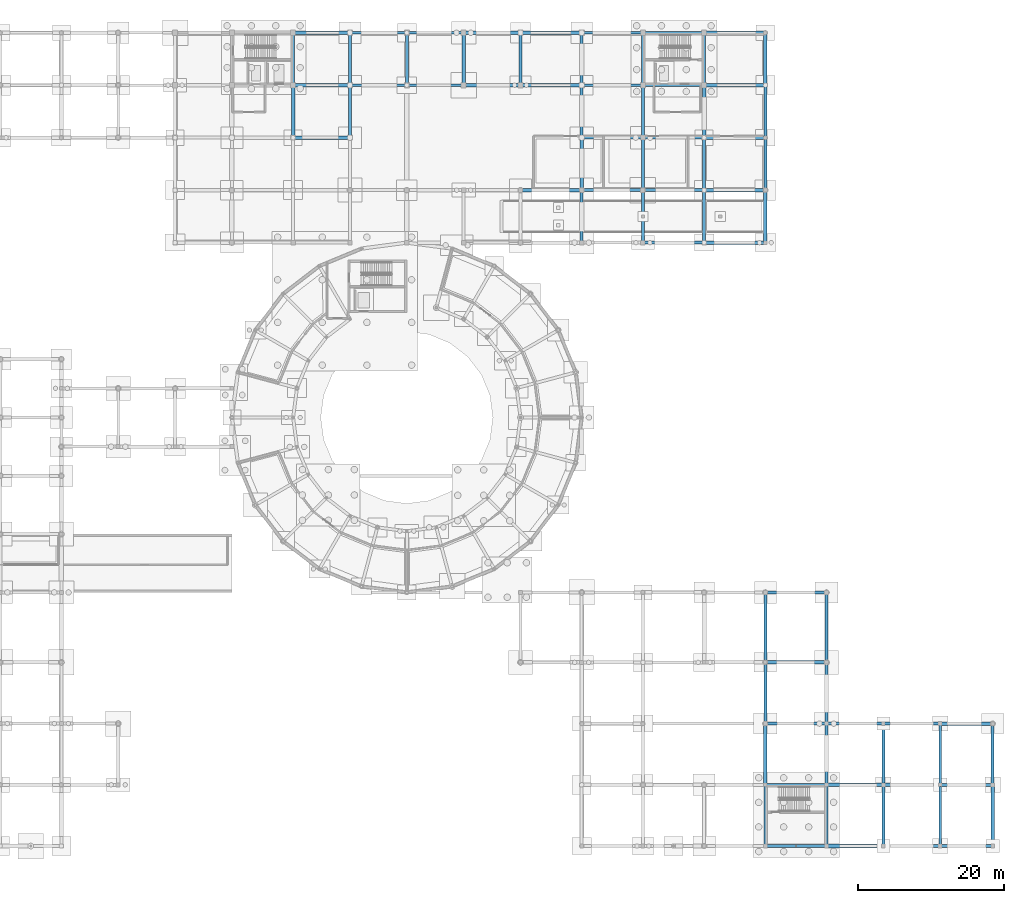
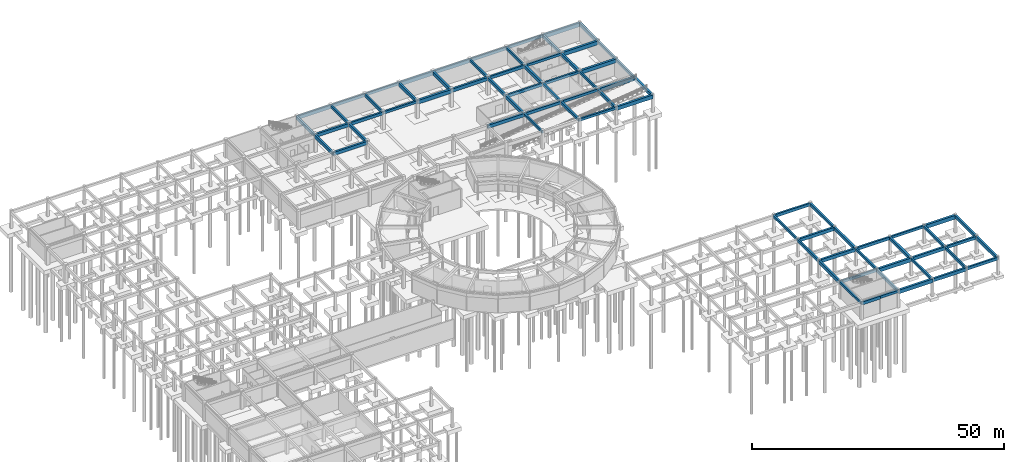
# One storey, part 27 of 43: 78 beams.
"""IFC4 building model written with IfcOpenShell, lengths in metres."""

from ifc_helpers import new_model, si_unit, derived_unit, direction, frame, origin, origin_2d, place, context, subcontext, project, spatial, rectangle, extrude, material, material_profile, profile_set, type_object, element, save


model = new_model("IFC4")

# Units and contexts
model_context = context("Model", 3, precision=1e-05, world=origin(), true_north=direction((0.0, 1.0)))
body_context = subcontext(model_context, "Body", "Model", "MODEL_VIEW")
ifc_project = project(units=[si_unit("LENGTHUNIT", "METRE"), si_unit("AREAUNIT", "SQUARE_METRE"), si_unit("VOLUMEUNIT", "CUBIC_METRE"), si_unit("PLANEANGLEUNIT", "RADIAN"), si_unit("MASSUNIT", "GRAM", prefix="KILO"), derived_unit("THERMALTRANSMITTANCEUNIT", [(si_unit("POWERUNIT", "WATT"), 1), (si_unit("AREAUNIT", "SQUARE_METRE"), -1), (si_unit("THERMODYNAMICTEMPERATUREUNIT", "KELVIN"), -1)])], contexts=[model_context])

# Site, building, storey
site_placement = place(None, origin())
site = spatial("IfcSite", under=ifc_project, at=site_placement, CompositionType="ELEMENT")
building_placement = place(site_placement, origin())
building = spatial("IfcBuilding", under=site, at=building_placement, Name="Yasenodar Specialist Clinic", CompositionType="ELEMENT")
storey_placement = place(building_placement, frame((0.0, 0.0, -4.5)))
storey = spatial("IfcBuildingStorey", under=building, at=storey_placement, Name="B1", CompositionType="ELEMENT", Elevation=-4.5)

# Beams
ifc_material = material(Name="Concrete C35/45", Category="concrete")
ifc_material_profile_1 = material_profile(ifc_material, rectangle(XDim=0.39990234375, YDim=0.60009765625, at=origin_2d()), Name="RC 400x600")
ifc_profile_set_1 = profile_set([ifc_material_profile_1], Name="Concrete C35/45")
beam_type_1 = type_object("IfcBeamType", Name="BM-RC-400x600", PredefinedType="BEAM", material=ifc_profile_set_1)
beam_1_placement = place(storey_placement, frame((134.39990234375, 0.0, 3.93505859375), z_axis=(1.0, 0.0, 0.0), x_axis=(0.0, 1.0, 0.0)))
element("IfcBeam", 1, at=beam_1_placement, inside=storey, type_object=beam_type_1, Name="B1 Primary E-W Girder", PredefinedType="BEAM", context=body_context, shape_type="SweptSolid", body=[
    extrude(rectangle(XDim=0.39990234375, YDim=0.60009765625, at=origin_2d()), origin(), (0.0, 0.0, 1.0), 4.2001953125),
])
beam_2_placement = place(storey_placement, frame((130.199951171875, 8.39990234375, 3.93505859375), z_axis=(1.0, 0.0, 0.0), x_axis=(0.0, 1.0, 0.0)))
element("IfcBeam", 2, at=beam_2_placement, inside=storey, type_object=beam_type_1, Name="B1 Primary E-W Girder", PredefinedType="BEAM", context=body_context, shape_type="SweptSolid", body=[
    extrude(rectangle(XDim=0.39990234375, YDim=0.60009765625, at=origin_2d()), origin(), (0.0, 0.0, 1.0), 8.400146484375),
])
beam_3_placement = place(storey_placement, frame((146.39990234375, 16.800048828125, 3.93505859375), z_axis=(1.0, 0.0, 0.0), x_axis=(0.0, 1.0, 0.0)))
element("IfcBeam", 3, at=beam_3_placement, inside=storey, type_object=beam_type_1, Name="B1 Primary E-W Girder", PredefinedType="BEAM", context=body_context, shape_type="SweptSolid", body=[
    extrude(rectangle(XDim=0.39990234375, YDim=0.60009765625, at=origin_2d()), origin(), (0.0, 0.0, 1.0), 7.800048828125),
])
for number, where, z_axis, x_axis, name in (
    (4, (113.39990234375, 82.800048828125, 3.93505859375), (1.0, 0.0, 0.0), (0.0, 1.0, 0.0), "B1 Primary E-W Girder"),
    (5, (113.39990234375, 90.0, 3.93505859375), (1.0, 0.0, 0.0), (0.0, 1.0, 0.0), "B1 Primary E-W Girder"),
    (6, (113.39990234375, 97.199951171875, 3.93505859375), (1.0, 0.0, 0.0), (0.0, 1.0, 0.0), "B1 Primary E-W Girder"),
):
    element("IfcBeam", number, at=place(storey_placement, frame(where, z_axis=z_axis, x_axis=x_axis)), inside=storey, type_object=beam_type_1, Name=name, PredefinedType="BEAM", context=body_context, shape_type="SweptSolid", body=[
        extrude(rectangle(XDim=0.39990234375, YDim=0.60009765625, at=origin_2d()), origin(), (0.0, 0.0, 1.0), 8.400146484375),
    ])
beam_4_placement = place(storey_placement, frame((81.0, 104.39990234375, 3.93505859375), z_axis=(1.0, 0.0, 0.0), x_axis=(0.0, 1.0, 0.0)))
element("IfcBeam", 7, at=beam_4_placement, inside=storey, type_object=beam_type_1, Name="B1 Primary E-W Girder", PredefinedType="BEAM", context=body_context, shape_type="SweptSolid", body=[
    extrude(rectangle(XDim=0.39990234375, YDim=0.60009765625, at=origin_2d()), origin(), (0.0, 0.0, 1.0), 7.800048828125),
])
beam_5_placement = place(storey_placement, frame((113.39990234375, 104.39990234375, 3.93505859375), z_axis=(1.0, 0.0, 0.0), x_axis=(0.0, 1.0, 0.0)))
element("IfcBeam", 8, at=beam_5_placement, inside=storey, type_object=beam_type_1, Name="B1 Primary E-W Girder", PredefinedType="BEAM", context=body_context, shape_type="SweptSolid", body=[
    extrude(rectangle(XDim=0.39990234375, YDim=0.60009765625, at=origin_2d()), origin(), (0.0, 0.0, 1.0), 8.400146484375),
])
beam_6_placement = place(storey_placement, frame((81.0, 111.60009765625, 3.93505859375), z_axis=(1.0, 0.0, 0.0), x_axis=(0.0, 1.0, 0.0)))
element("IfcBeam", 9, at=beam_6_placement, inside=storey, type_object=beam_type_1, Name="B1 Primary E-W Girder", PredefinedType="BEAM", context=body_context, shape_type="SweptSolid", body=[
    extrude(rectangle(XDim=0.39990234375, YDim=0.60009765625, at=origin_2d()), origin(), (0.0, 0.0, 1.0), 7.800048828125),
])
beam_7_placement = place(storey_placement, frame((113.39990234375, 111.60009765625, 3.93505859375), z_axis=(1.0, 0.0, 0.0), x_axis=(0.0, 1.0, 0.0)))
element("IfcBeam", 10, at=beam_7_placement, inside=storey, type_object=beam_type_1, Name="B1 Primary E-W Girder", PredefinedType="BEAM", context=body_context, shape_type="SweptSolid", body=[
    extrude(rectangle(XDim=0.39990234375, YDim=0.60009765625, at=origin_2d()), origin(), (0.0, 0.0, 1.0), 8.400146484375),
])
beam_8_placement = place(storey_placement, frame((73.199951171875, 104.39990234375, 3.93505859375), z_axis=(0.0, 1.0, 0.0), x_axis=(-1.0, 0.0, 0.0)))
element("IfcBeam", 11, at=beam_8_placement, inside=storey, type_object=beam_type_1, Name="B1 Primary N-S Girder", PredefinedType="BEAM", context=body_context, shape_type="SweptSolid", body=[
    extrude(rectangle(XDim=0.39990234375, YDim=0.60009765625, at=origin_2d()), origin(), (0.0, 0.0, 1.0), 7.2001953125),
])
beam_9_placement = place(storey_placement, frame((105.0, 82.800048828125, 3.93505859375), z_axis=(0.0, 1.0, 0.0), x_axis=(-1.0, 0.0, 0.0)))
element("IfcBeam", 12, at=beam_9_placement, inside=storey, type_object=beam_type_1, Name="B1 Primary N-S Girder", PredefinedType="BEAM", context=body_context, shape_type="SweptSolid", body=[
    extrude(rectangle(XDim=0.39990234375, YDim=0.60009765625, at=origin_2d()), origin(), (0.0, 0.0, 1.0), 7.199951171875),
])
beam_10_placement = place(storey_placement, frame((105.0, 104.39990234375, 3.93505859375), z_axis=(0.0, 1.0, 0.0), x_axis=(-1.0, 0.0, 0.0)))
element("IfcBeam", 13, at=beam_10_placement, inside=storey, type_object=beam_type_1, Name="B1 Primary N-S Girder", PredefinedType="BEAM", context=body_context, shape_type="SweptSolid", body=[
    extrude(rectangle(XDim=0.39990234375, YDim=0.60009765625, at=origin_2d()), origin(), (0.0, 0.0, 1.0), 7.2001953125),
])
for number, where, z_axis, x_axis, name in (
    (14, (113.39990234375, 90.0, 3.93505859375), (0.0, 1.0, 0.0), (-1.0, 0.0, 0.0), "B1 Primary N-S Girder"),
    (15, (121.800048828125, 90.0, 3.93505859375), (0.0, 1.0, 0.0), (-1.0, 0.0, 0.0), "B1 Primary N-S Girder"),
):
    element("IfcBeam", number, at=place(storey_placement, frame(where, z_axis=z_axis, x_axis=x_axis)), inside=storey, type_object=beam_type_1, Name=name, PredefinedType="BEAM", context=body_context, shape_type="SweptSolid", body=[
        extrude(rectangle(XDim=0.39990234375, YDim=0.60009765625, at=origin_2d()), origin(), (0.0, 0.0, 1.0), 7.199951171875),
    ])
beam_11_placement = place(storey_placement, frame((130.199951171875, 0.0, 3.93505859375), z_axis=(0.0, 1.0, 0.0), x_axis=(-1.0, 0.0, 0.0)))
element("IfcBeam", 16, at=beam_11_placement, inside=storey, type_object=beam_type_1, Name="B1 Primary N-S Girder", PredefinedType="BEAM", context=body_context, shape_type="SweptSolid", body=[
    extrude(rectangle(XDim=0.39990234375, YDim=0.60009765625, at=origin_2d()), origin(), (0.0, 0.0, 1.0), 8.39990234375),
])
beam_12_placement = place(storey_placement, frame((130.199951171875, 25.199951171875, 3.93505859375), z_axis=(0.0, 1.0, 0.0), x_axis=(-1.0, 0.0, 0.0)))
element("IfcBeam", 17, at=beam_12_placement, inside=storey, type_object=beam_type_1, Name="B1 Primary N-S Girder", PredefinedType="BEAM", context=body_context, shape_type="SweptSolid", body=[
    extrude(rectangle(XDim=0.39990234375, YDim=0.60009765625, at=origin_2d()), origin(), (0.0, 0.0, 1.0), 9.60009765625),
])
beam_13_placement = place(storey_placement, frame((130.199951171875, 97.199951171875, 3.93505859375), z_axis=(0.0, 1.0, 0.0), x_axis=(-1.0, 0.0, 0.0)))
element("IfcBeam", 18, at=beam_13_placement, inside=storey, type_object=beam_type_1, Name="B1 Primary N-S Girder", PredefinedType="BEAM", context=body_context, shape_type="SweptSolid", body=[
    extrude(rectangle(XDim=0.39990234375, YDim=0.60009765625, at=origin_2d()), origin(), (0.0, 0.0, 1.0), 7.199951171875),
])
beam_14_placement = place(storey_placement, frame((138.60009765625, 8.39990234375, 3.93505859375), z_axis=(0.0, 1.0, 0.0), x_axis=(-1.0, 0.0, 0.0)))
element("IfcBeam", 19, at=beam_14_placement, inside=storey, type_object=beam_type_1, Name="B1 Primary N-S Girder", PredefinedType="BEAM", context=body_context, shape_type="SweptSolid", body=[
    extrude(rectangle(XDim=0.39990234375, YDim=0.60009765625, at=origin_2d()), origin(), (0.0, 0.0, 1.0), 8.400146484375),
])
beam_15_placement = place(storey_placement, frame((146.39990234375, 0.0, 3.93505859375), z_axis=(0.0, 1.0, 0.0), x_axis=(-1.0, 0.0, 0.0)))
element("IfcBeam", 20, at=beam_15_placement, inside=storey, type_object=beam_type_1, Name="B1 Primary N-S Girder", PredefinedType="BEAM", context=body_context, shape_type="SweptSolid", body=[
    extrude(rectangle(XDim=0.39990234375, YDim=0.60009765625, at=origin_2d()), origin(), (0.0, 0.0, 1.0), 8.39990234375),
])
beam_16_placement = place(storey_placement, frame((154.199951171875, 8.39990234375, 3.93505859375), z_axis=(0.0, 1.0, 0.0), x_axis=(-1.0, 0.0, 0.0)))
element("IfcBeam", 21, at=beam_16_placement, inside=storey, type_object=beam_type_1, Name="B1 Primary N-S Girder", PredefinedType="BEAM", context=body_context, shape_type="SweptSolid", body=[
    extrude(rectangle(XDim=0.39990234375, YDim=0.60009765625, at=origin_2d()), origin(), (0.0, 0.0, 1.0), 8.400146484375),
])
ifc_material_profile_2 = material_profile(ifc_material, rectangle(XDim=0.39990234375, YDim=0.699951171875, at=origin_2d()), Name="RC 400x700")
ifc_profile_set_2 = profile_set([ifc_material_profile_2], Name="Concrete C35/45")
beam_type_2 = type_object("IfcBeamType", Name="BM-RC-400x700", PredefinedType="BEAM", material=ifc_profile_set_2)
beam_17_placement = place(storey_placement, frame((130.199951171875, 0.0, 3.885009765625), z_axis=(1.0, 0.0, 0.0), x_axis=(0.0, 1.0, 0.0)))
element("IfcBeam", 22, at=beam_17_placement, inside=storey, type_object=beam_type_2, Name="B1 Primary E-W Girder", PredefinedType="BEAM", context=body_context, shape_type="SweptSolid", body=[
    extrude(rectangle(XDim=0.39990234375, YDim=0.699951171875, at=origin_2d()), origin(), (0.0, 0.0, 1.0), 4.199951171875),
])
for number, where, z_axis, x_axis, name in (
    (23, (154.199951171875, 0.0, 3.885009765625), (1.0, 0.0, 0.0), (0.0, 1.0, 0.0), "B1 Primary E-W Girder"),
    (24, (154.199951171875, 8.39990234375, 3.885009765625), (1.0, 0.0, 0.0), (0.0, 1.0, 0.0), "B1 Primary E-W Girder"),
):
    element("IfcBeam", number, at=place(storey_placement, frame(where, z_axis=z_axis, x_axis=x_axis)), inside=storey, type_object=beam_type_2, Name=name, PredefinedType="BEAM", context=body_context, shape_type="SweptSolid", body=[
        extrude(rectangle(XDim=0.39990234375, YDim=0.699951171875, at=origin_2d()), origin(), (0.0, 0.0, 1.0), 7.199951171875),
    ])
beam_18_placement = place(storey_placement, frame((138.60009765625, 16.800048828125, 3.885009765625), z_axis=(1.0, 0.0, 0.0), x_axis=(0.0, 1.0, 0.0)))
element("IfcBeam", 25, at=beam_18_placement, inside=storey, type_object=beam_type_2, Name="B1 Primary E-W Girder", PredefinedType="BEAM", context=body_context, shape_type="SweptSolid", body=[
    extrude(rectangle(XDim=0.39990234375, YDim=0.699951171875, at=origin_2d()), origin(), (0.0, 0.0, 1.0), 7.7998046875),
])
beam_19_placement = place(storey_placement, frame((130.199951171875, 34.800048828125, 3.885009765625), z_axis=(1.0, 0.0, 0.0), x_axis=(0.0, 1.0, 0.0)))
element("IfcBeam", 26, at=beam_19_placement, inside=storey, type_object=beam_type_2, Name="B1 Primary E-W Girder", PredefinedType="BEAM", context=body_context, shape_type="SweptSolid", body=[
    extrude(rectangle(XDim=0.39990234375, YDim=0.699951171875, at=origin_2d()), origin(), (0.0, 0.0, 1.0), 8.400146484375),
])
for number, where, z_axis, x_axis, name in (
    (27, (105.0, 90.0, 3.885009765625), (1.0, 0.0, 0.0), (0.0, 1.0, 0.0), "B1 Primary E-W Girder"),
    (28, (105.0, 97.199951171875, 3.885009765625), (1.0, 0.0, 0.0), (0.0, 1.0, 0.0), "B1 Primary E-W Girder"),
):
    element("IfcBeam", number, at=place(storey_placement, frame(where, z_axis=z_axis, x_axis=x_axis)), inside=storey, type_object=beam_type_2, Name=name, PredefinedType="BEAM", context=body_context, shape_type="SweptSolid", body=[
        extrude(rectangle(XDim=0.39990234375, YDim=0.699951171875, at=origin_2d()), origin(), (0.0, 0.0, 1.0), 8.39990234375),
    ])
beam_20_placement = place(storey_placement, frame((73.199951171875, 104.39990234375, 3.885009765625), z_axis=(1.0, 0.0, 0.0), x_axis=(0.0, 1.0, 0.0)))
element("IfcBeam", 29, at=beam_20_placement, inside=storey, type_object=beam_type_2, Name="B1 Primary E-W Girder", PredefinedType="BEAM", context=body_context, shape_type="SweptSolid", body=[
    extrude(rectangle(XDim=0.39990234375, YDim=0.699951171875, at=origin_2d()), origin(), (0.0, 0.0, 1.0), 7.800048828125),
])
beam_21_placement = place(storey_placement, frame((105.0, 104.39990234375, 3.885009765625), z_axis=(1.0, 0.0, 0.0), x_axis=(0.0, 1.0, 0.0)))
element("IfcBeam", 30, at=beam_21_placement, inside=storey, type_object=beam_type_2, Name="B1 Primary E-W Girder", PredefinedType="BEAM", context=body_context, shape_type="SweptSolid", body=[
    extrude(rectangle(XDim=0.39990234375, YDim=0.699951171875, at=origin_2d()), origin(), (0.0, 0.0, 1.0), 8.39990234375),
])
beam_22_placement = place(storey_placement, frame((73.199951171875, 111.60009765625, 3.885009765625), z_axis=(1.0, 0.0, 0.0), x_axis=(0.0, 1.0, 0.0)))
element("IfcBeam", 31, at=beam_22_placement, inside=storey, type_object=beam_type_2, Name="B1 Primary E-W Girder", PredefinedType="BEAM", context=body_context, shape_type="SweptSolid", body=[
    extrude(rectangle(XDim=0.39990234375, YDim=0.699951171875, at=origin_2d()), origin(), (0.0, 0.0, 1.0), 7.800048828125),
])
beam_23_placement = place(storey_placement, frame((105.0, 111.60009765625, 3.885009765625), z_axis=(1.0, 0.0, 0.0), x_axis=(0.0, 1.0, 0.0)))
element("IfcBeam", 32, at=beam_23_placement, inside=storey, type_object=beam_type_2, Name="B1 Primary E-W Girder", PredefinedType="BEAM", context=body_context, shape_type="SweptSolid", body=[
    extrude(rectangle(XDim=0.39990234375, YDim=0.699951171875, at=origin_2d()), origin(), (0.0, 0.0, 1.0), 8.39990234375),
])
beam_24_placement = place(storey_placement, frame((65.39990234375, 104.39990234375, 3.885009765625), z_axis=(0.0, 1.0, 0.0), x_axis=(-1.0, 0.0, 0.0)))
element("IfcBeam", 33, at=beam_24_placement, inside=storey, type_object=beam_type_2, Name="B1 Primary N-S Girder", PredefinedType="BEAM", context=body_context, shape_type="SweptSolid", body=[
    extrude(rectangle(XDim=0.39990234375, YDim=0.699951171875, at=origin_2d()), origin(), (0.0, 0.0, 1.0), 7.2001953125),
])
beam_25_placement = place(storey_placement, frame((73.199951171875, 97.199951171875, 3.885009765625), z_axis=(0.0, 1.0, 0.0), x_axis=(-1.0, 0.0, 0.0)))
element("IfcBeam", 34, at=beam_25_placement, inside=storey, type_object=beam_type_2, Name="B1 Primary N-S Girder", PredefinedType="BEAM", context=body_context, shape_type="SweptSolid", body=[
    extrude(rectangle(XDim=0.39990234375, YDim=0.699951171875, at=origin_2d()), origin(), (0.0, 0.0, 1.0), 7.199951171875),
])
beam_26_placement = place(storey_placement, frame((81.0, 104.39990234375, 3.885009765625), z_axis=(0.0, 1.0, 0.0), x_axis=(-1.0, 0.0, 0.0)))
element("IfcBeam", 35, at=beam_26_placement, inside=storey, type_object=beam_type_2, Name="B1 Primary N-S Girder", PredefinedType="BEAM", context=body_context, shape_type="SweptSolid", body=[
    extrude(rectangle(XDim=0.39990234375, YDim=0.699951171875, at=origin_2d()), origin(), (0.0, 0.0, 1.0), 7.2001953125),
])
for number, where, z_axis, x_axis, name in (
    (36, (105.0, 97.199951171875, 3.885009765625), (0.0, 1.0, 0.0), (-1.0, 0.0, 0.0), "B1 Primary N-S Girder"),
    (37, (113.39990234375, 82.800048828125, 3.885009765625), (0.0, 1.0, 0.0), (-1.0, 0.0, 0.0), "B1 Primary N-S Girder"),
):
    element("IfcBeam", number, at=place(storey_placement, frame(where, z_axis=z_axis, x_axis=x_axis)), inside=storey, type_object=beam_type_2, Name=name, PredefinedType="BEAM", context=body_context, shape_type="SweptSolid", body=[
        extrude(rectangle(XDim=0.39990234375, YDim=0.699951171875, at=origin_2d()), origin(), (0.0, 0.0, 1.0), 7.199951171875),
    ])
beam_27_placement = place(storey_placement, frame((113.39990234375, 104.39990234375, 3.885009765625), z_axis=(0.0, 1.0, 0.0), x_axis=(-1.0, 0.0, 0.0)))
element("IfcBeam", 38, at=beam_27_placement, inside=storey, type_object=beam_type_2, Name="B1 Primary N-S Girder", PredefinedType="BEAM", context=body_context, shape_type="SweptSolid", body=[
    extrude(rectangle(XDim=0.39990234375, YDim=0.699951171875, at=origin_2d()), origin(), (0.0, 0.0, 1.0), 7.2001953125),
])
beam_28_placement = place(storey_placement, frame((121.800048828125, 82.800048828125, 3.885009765625), z_axis=(0.0, 1.0, 0.0), x_axis=(-1.0, 0.0, 0.0)))
element("IfcBeam", 39, at=beam_28_placement, inside=storey, type_object=beam_type_2, Name="B1 Primary N-S Girder", PredefinedType="BEAM", context=body_context, shape_type="SweptSolid", body=[
    extrude(rectangle(XDim=0.39990234375, YDim=0.699951171875, at=origin_2d()), origin(), (0.0, 0.0, 1.0), 7.199951171875),
])
beam_29_placement = place(storey_placement, frame((121.800048828125, 104.39990234375, 3.885009765625), z_axis=(0.0, 1.0, 0.0), x_axis=(-1.0, 0.0, 0.0)))
element("IfcBeam", 40, at=beam_29_placement, inside=storey, type_object=beam_type_2, Name="B1 Primary N-S Girder", PredefinedType="BEAM", context=body_context, shape_type="SweptSolid", body=[
    extrude(rectangle(XDim=0.39990234375, YDim=0.699951171875, at=origin_2d()), origin(), (0.0, 0.0, 1.0), 7.2001953125),
])
beam_30_placement = place(storey_placement, frame((130.199951171875, 16.800048828125, 3.885009765625), z_axis=(0.0, 1.0, 0.0), x_axis=(-1.0, 0.0, 0.0)))
element("IfcBeam", 41, at=beam_30_placement, inside=storey, type_object=beam_type_2, Name="B1 Primary N-S Girder", PredefinedType="BEAM", context=body_context, shape_type="SweptSolid", body=[
    extrude(rectangle(XDim=0.39990234375, YDim=0.699951171875, at=origin_2d()), origin(), (0.0, 0.0, 1.0), 8.39990234375),
])
beam_31_placement = place(storey_placement, frame((130.199951171875, 90.0, 3.885009765625), z_axis=(0.0, 1.0, 0.0), x_axis=(-1.0, 0.0, 0.0)))
element("IfcBeam", 42, at=beam_31_placement, inside=storey, type_object=beam_type_2, Name="B1 Primary N-S Girder", PredefinedType="BEAM", context=body_context, shape_type="SweptSolid", body=[
    extrude(rectangle(XDim=0.39990234375, YDim=0.699951171875, at=origin_2d()), origin(), (0.0, 0.0, 1.0), 7.199951171875),
])
beam_32_placement = place(storey_placement, frame((138.60009765625, 0.0, 3.885009765625), z_axis=(0.0, 1.0, 0.0), x_axis=(-1.0, 0.0, 0.0)))
element("IfcBeam", 43, at=beam_32_placement, inside=storey, type_object=beam_type_2, Name="B1 Primary N-S Girder", PredefinedType="BEAM", context=body_context, shape_type="SweptSolid", body=[
    extrude(rectangle(XDim=0.39990234375, YDim=0.699951171875, at=origin_2d()), origin(), (0.0, 0.0, 1.0), 8.39990234375),
])
beam_33_placement = place(storey_placement, frame((138.60009765625, 25.199951171875, 3.885009765625), z_axis=(0.0, 1.0, 0.0), x_axis=(-1.0, 0.0, 0.0)))
element("IfcBeam", 44, at=beam_33_placement, inside=storey, type_object=beam_type_2, Name="B1 Primary N-S Girder", PredefinedType="BEAM", context=body_context, shape_type="SweptSolid", body=[
    extrude(rectangle(XDim=0.39990234375, YDim=0.699951171875, at=origin_2d()), origin(), (0.0, 0.0, 1.0), 9.60009765625),
])
beam_34_placement = place(storey_placement, frame((154.199951171875, 0.0, 3.885009765625), z_axis=(0.0, 1.0, 0.0), x_axis=(-1.0, 0.0, 0.0)))
element("IfcBeam", 45, at=beam_34_placement, inside=storey, type_object=beam_type_2, Name="B1 Primary N-S Girder", PredefinedType="BEAM", context=body_context, shape_type="SweptSolid", body=[
    extrude(rectangle(XDim=0.39990234375, YDim=0.699951171875, at=origin_2d()), origin(), (0.0, 0.0, 1.0), 8.39990234375),
])
beam_35_placement = place(storey_placement, frame((161.39990234375, 8.39990234375, 3.885009765625), z_axis=(0.0, 1.0, 0.0), x_axis=(-1.0, 0.0, 0.0)))
element("IfcBeam", 46, at=beam_35_placement, inside=storey, type_object=beam_type_2, Name="B1 Primary N-S Girder", PredefinedType="BEAM", context=body_context, shape_type="SweptSolid", body=[
    extrude(rectangle(XDim=0.39990234375, YDim=0.699951171875, at=origin_2d()), origin(), (0.0, 0.0, 1.0), 8.400146484375),
])
ifc_material_profile_3 = material_profile(ifc_material, rectangle(XDim=0.449951171875, YDim=0.800048828125, at=origin_2d()), Name="RC 450x800")
ifc_profile_set_3 = profile_set([ifc_material_profile_3], Name="Concrete C35/45")
beam_type_3 = type_object("IfcBeamType", Name="BM-RC-450x800", PredefinedType="BEAM", material=ifc_profile_set_3)
for number, where, z_axis, x_axis, name in (
    (47, (146.39990234375, 0.0, 3.8349609375), (1.0, 0.0, 0.0), (0.0, 1.0, 0.0), "B1 Primary E-W Girder"),
    (48, (146.39990234375, 8.39990234375, 3.8349609375), (1.0, 0.0, 0.0), (0.0, 1.0, 0.0), "B1 Primary E-W Girder"),
):
    element("IfcBeam", number, at=place(storey_placement, frame(where, z_axis=z_axis, x_axis=x_axis)), inside=storey, type_object=beam_type_3, Name=name, PredefinedType="BEAM", context=body_context, shape_type="SweptSolid", body=[
        extrude(rectangle(XDim=0.449951171875, YDim=0.800048828125, at=origin_2d()), origin(), (0.0, 0.0, 1.0), 7.800048828125),
    ])
for number, where, z_axis, x_axis, name in (
    (49, (130.199951171875, 16.800048828125, 3.8349609375), (1.0, 0.0, 0.0), (0.0, 1.0, 0.0), "B1 Primary E-W Girder"),
    (50, (130.199951171875, 25.199951171875, 3.8349609375), (1.0, 0.0, 0.0), (0.0, 1.0, 0.0), "B1 Primary E-W Girder"),
):
    element("IfcBeam", number, at=place(storey_placement, frame(where, z_axis=z_axis, x_axis=x_axis)), inside=storey, type_object=beam_type_3, Name=name, PredefinedType="BEAM", context=body_context, shape_type="SweptSolid", body=[
        extrude(rectangle(XDim=0.449951171875, YDim=0.800048828125, at=origin_2d()), origin(), (0.0, 0.0, 1.0), 8.400146484375),
    ])
beam_36_placement = place(storey_placement, frame((96.60009765625, 90.0, 3.8349609375), z_axis=(1.0, 0.0, 0.0), x_axis=(0.0, 1.0, 0.0)))
element("IfcBeam", 51, at=beam_36_placement, inside=storey, type_object=beam_type_3, Name="B1 Primary E-W Girder", PredefinedType="BEAM", context=body_context, shape_type="SweptSolid", body=[
    extrude(rectangle(XDim=0.449951171875, YDim=0.800048828125, at=origin_2d()), origin(), (0.0, 0.0, 1.0), 8.39990234375),
])
for number, where, z_axis, x_axis, name in (
    (52, (65.39990234375, 97.199951171875, 3.8349609375), (1.0, 0.0, 0.0), (0.0, 1.0, 0.0), "B1 Primary E-W Girder"),
    (53, (65.39990234375, 104.39990234375, 3.8349609375), (1.0, 0.0, 0.0), (0.0, 1.0, 0.0), "B1 Primary E-W Girder"),
):
    element("IfcBeam", number, at=place(storey_placement, frame(where, z_axis=z_axis, x_axis=x_axis)), inside=storey, type_object=beam_type_3, Name=name, PredefinedType="BEAM", context=body_context, shape_type="SweptSolid", body=[
        extrude(rectangle(XDim=0.449951171875, YDim=0.800048828125, at=origin_2d()), origin(), (0.0, 0.0, 1.0), 7.800048828125),
    ])
beam_37_placement = place(storey_placement, frame((96.60009765625, 104.39990234375, 3.8349609375), z_axis=(1.0, 0.0, 0.0), x_axis=(0.0, 1.0, 0.0)))
element("IfcBeam", 54, at=beam_37_placement, inside=storey, type_object=beam_type_3, Name="B1 Primary E-W Girder", PredefinedType="BEAM", context=body_context, shape_type="SweptSolid", body=[
    extrude(rectangle(XDim=0.449951171875, YDim=0.800048828125, at=origin_2d()), origin(), (0.0, 0.0, 1.0), 8.39990234375),
])
beam_38_placement = place(storey_placement, frame((65.39990234375, 111.60009765625, 3.8349609375), z_axis=(1.0, 0.0, 0.0), x_axis=(0.0, 1.0, 0.0)))
element("IfcBeam", 55, at=beam_38_placement, inside=storey, type_object=beam_type_3, Name="B1 Primary E-W Girder", PredefinedType="BEAM", context=body_context, shape_type="SweptSolid", body=[
    extrude(rectangle(XDim=0.449951171875, YDim=0.800048828125, at=origin_2d()), origin(), (0.0, 0.0, 1.0), 7.800048828125),
])
beam_39_placement = place(storey_placement, frame((96.60009765625, 111.60009765625, 3.8349609375), z_axis=(1.0, 0.0, 0.0), x_axis=(0.0, 1.0, 0.0)))
element("IfcBeam", 56, at=beam_39_placement, inside=storey, type_object=beam_type_3, Name="B1 Primary E-W Girder", PredefinedType="BEAM", context=body_context, shape_type="SweptSolid", body=[
    extrude(rectangle(XDim=0.449951171875, YDim=0.800048828125, at=origin_2d()), origin(), (0.0, 0.0, 1.0), 8.39990234375),
])
beam_40_placement = place(storey_placement, frame((65.39990234375, 97.199951171875, 3.8349609375), z_axis=(0.0, 1.0, 0.0), x_axis=(-1.0, 0.0, 0.0)))
element("IfcBeam", 57, at=beam_40_placement, inside=storey, type_object=beam_type_3, Name="B1 Primary N-S Girder", PredefinedType="BEAM", context=body_context, shape_type="SweptSolid", body=[
    extrude(rectangle(XDim=0.449951171875, YDim=0.800048828125, at=origin_2d()), origin(), (0.0, 0.0, 1.0), 7.199951171875),
])
for number, where, z_axis, x_axis, name in (
    (58, (88.800048828125, 104.39990234375, 3.8349609375), (0.0, 1.0, 0.0), (-1.0, 0.0, 0.0), "B1 Primary N-S Girder"),
    (59, (96.60009765625, 104.39990234375, 3.8349609375), (0.0, 1.0, 0.0), (-1.0, 0.0, 0.0), "B1 Primary N-S Girder"),
):
    element("IfcBeam", number, at=place(storey_placement, frame(where, z_axis=z_axis, x_axis=x_axis)), inside=storey, type_object=beam_type_3, Name=name, PredefinedType="BEAM", context=body_context, shape_type="SweptSolid", body=[
        extrude(rectangle(XDim=0.449951171875, YDim=0.800048828125, at=origin_2d()), origin(), (0.0, 0.0, 1.0), 7.2001953125),
    ])
for number, where, z_axis, x_axis, name in (
    (60, (105.0, 90.0, 3.8349609375), (0.0, 1.0, 0.0), (-1.0, 0.0, 0.0), "B1 Primary N-S Girder"),
    (61, (113.39990234375, 97.199951171875, 3.8349609375), (0.0, 1.0, 0.0), (-1.0, 0.0, 0.0), "B1 Primary N-S Girder"),
    (62, (121.800048828125, 97.199951171875, 3.8349609375), (0.0, 1.0, 0.0), (-1.0, 0.0, 0.0), "B1 Primary N-S Girder"),
):
    element("IfcBeam", number, at=place(storey_placement, frame(where, z_axis=z_axis, x_axis=x_axis)), inside=storey, type_object=beam_type_3, Name=name, PredefinedType="BEAM", context=body_context, shape_type="SweptSolid", body=[
        extrude(rectangle(XDim=0.449951171875, YDim=0.800048828125, at=origin_2d()), origin(), (0.0, 0.0, 1.0), 7.199951171875),
    ])
beam_41_placement = place(storey_placement, frame((130.199951171875, 8.39990234375, 3.8349609375), z_axis=(0.0, 1.0, 0.0), x_axis=(-1.0, 0.0, 0.0)))
element("IfcBeam", 63, at=beam_41_placement, inside=storey, type_object=beam_type_3, Name="B1 Primary N-S Girder", PredefinedType="BEAM", context=body_context, shape_type="SweptSolid", body=[
    extrude(rectangle(XDim=0.449951171875, YDim=0.800048828125, at=origin_2d()), origin(), (0.0, 0.0, 1.0), 8.400146484375),
])
beam_42_placement = place(storey_placement, frame((130.199951171875, 82.800048828125, 3.8349609375), z_axis=(0.0, 1.0, 0.0), x_axis=(-1.0, 0.0, 0.0)))
element("IfcBeam", 64, at=beam_42_placement, inside=storey, type_object=beam_type_3, Name="B1 Primary N-S Girder", PredefinedType="BEAM", context=body_context, shape_type="SweptSolid", body=[
    extrude(rectangle(XDim=0.449951171875, YDim=0.800048828125, at=origin_2d()), origin(), (0.0, 0.0, 1.0), 7.199951171875),
])
beam_43_placement = place(storey_placement, frame((130.199951171875, 104.39990234375, 3.8349609375), z_axis=(0.0, 1.0, 0.0), x_axis=(-1.0, 0.0, 0.0)))
element("IfcBeam", 65, at=beam_43_placement, inside=storey, type_object=beam_type_3, Name="B1 Primary N-S Girder", PredefinedType="BEAM", context=body_context, shape_type="SweptSolid", body=[
    extrude(rectangle(XDim=0.449951171875, YDim=0.800048828125, at=origin_2d()), origin(), (0.0, 0.0, 1.0), 7.2001953125),
])
beam_44_placement = place(storey_placement, frame((138.60009765625, 16.800048828125, 3.8349609375), z_axis=(0.0, 1.0, 0.0), x_axis=(-1.0, 0.0, 0.0)))
element("IfcBeam", 66, at=beam_44_placement, inside=storey, type_object=beam_type_3, Name="B1 Primary N-S Girder", PredefinedType="BEAM", context=body_context, shape_type="SweptSolid", body=[
    extrude(rectangle(XDim=0.449951171875, YDim=0.800048828125, at=origin_2d()), origin(), (0.0, 0.0, 1.0), 8.39990234375),
])
beam_45_placement = place(storey_placement, frame((146.39990234375, 8.39990234375, 3.8349609375), z_axis=(0.0, 1.0, 0.0), x_axis=(-1.0, 0.0, 0.0)))
element("IfcBeam", 67, at=beam_45_placement, inside=storey, type_object=beam_type_3, Name="B1 Primary N-S Girder", PredefinedType="BEAM", context=body_context, shape_type="SweptSolid", body=[
    extrude(rectangle(XDim=0.449951171875, YDim=0.800048828125, at=origin_2d()), origin(), (0.0, 0.0, 1.0), 8.400146484375),
])
beam_46_placement = place(storey_placement, frame((161.39990234375, 0.0, 3.8349609375), z_axis=(0.0, 1.0, 0.0), x_axis=(-1.0, 0.0, 0.0)))
element("IfcBeam", 68, at=beam_46_placement, inside=storey, type_object=beam_type_3, Name="B1 Primary N-S Girder", PredefinedType="BEAM", context=body_context, shape_type="SweptSolid", body=[
    extrude(rectangle(XDim=0.449951171875, YDim=0.800048828125, at=origin_2d()), origin(), (0.0, 0.0, 1.0), 8.39990234375),
])
ifc_material_profile_4 = material_profile(ifc_material, rectangle(XDim=0.5, YDim=0.89990234375, at=origin_2d()), Name="RC 500x900")
ifc_profile_set_4 = profile_set([ifc_material_profile_4], Name="Concrete C35/45")
beam_type_4 = type_object("IfcBeamType", Name="BM-RC-500x900", PredefinedType="BEAM", material=ifc_profile_set_4)
for number, where, z_axis, x_axis, name in (
    (69, (138.60009765625, 0.0, 3.784912109375), (1.0, 0.0, 0.0), (0.0, 1.0, 0.0), "B1 Primary E-W Girder"),
    (70, (138.60009765625, 8.39990234375, 3.784912109375), (1.0, 0.0, 0.0), (0.0, 1.0, 0.0), "B1 Primary E-W Girder"),
):
    element("IfcBeam", number, at=place(storey_placement, frame(where, z_axis=z_axis, x_axis=x_axis)), inside=storey, type_object=beam_type_4, Name=name, PredefinedType="BEAM", context=body_context, shape_type="SweptSolid", body=[
        extrude(rectangle(XDim=0.5, YDim=0.89990234375, at=origin_2d()), origin(), (0.0, 0.0, 1.0), 7.7998046875),
    ])
beam_47_placement = place(storey_placement, frame((154.199951171875, 16.800048828125, 3.784912109375), z_axis=(1.0, 0.0, 0.0), x_axis=(0.0, 1.0, 0.0)))
element("IfcBeam", 71, at=beam_47_placement, inside=storey, type_object=beam_type_4, Name="B1 Primary E-W Girder", PredefinedType="BEAM", context=body_context, shape_type="SweptSolid", body=[
    extrude(rectangle(XDim=0.5, YDim=0.89990234375, at=origin_2d()), origin(), (0.0, 0.0, 1.0), 7.199951171875),
])
for number, where, z_axis, x_axis, name in (
    (72, (121.800048828125, 82.800048828125, 3.784912109375), (1.0, 0.0, 0.0), (0.0, 1.0, 0.0), "B1 Primary E-W Girder"),
    (73, (121.800048828125, 90.0, 3.784912109375), (1.0, 0.0, 0.0), (0.0, 1.0, 0.0), "B1 Primary E-W Girder"),
    (74, (121.800048828125, 97.199951171875, 3.784912109375), (1.0, 0.0, 0.0), (0.0, 1.0, 0.0), "B1 Primary E-W Girder"),
):
    element("IfcBeam", number, at=place(storey_placement, frame(where, z_axis=z_axis, x_axis=x_axis)), inside=storey, type_object=beam_type_4, Name=name, PredefinedType="BEAM", context=body_context, shape_type="SweptSolid", body=[
        extrude(rectangle(XDim=0.5, YDim=0.89990234375, at=origin_2d()), origin(), (0.0, 0.0, 1.0), 8.39990234375),
    ])
beam_48_placement = place(storey_placement, frame((88.800048828125, 104.39990234375, 3.784912109375), z_axis=(1.0, 0.0, 0.0), x_axis=(0.0, 1.0, 0.0)))
element("IfcBeam", 75, at=beam_48_placement, inside=storey, type_object=beam_type_4, Name="B1 Primary E-W Girder", PredefinedType="BEAM", context=body_context, shape_type="SweptSolid", body=[
    extrude(rectangle(XDim=0.5, YDim=0.89990234375, at=origin_2d()), origin(), (0.0, 0.0, 1.0), 7.800048828125),
])
beam_49_placement = place(storey_placement, frame((121.800048828125, 104.39990234375, 3.784912109375), z_axis=(1.0, 0.0, 0.0), x_axis=(0.0, 1.0, 0.0)))
element("IfcBeam", 76, at=beam_49_placement, inside=storey, type_object=beam_type_4, Name="B1 Primary E-W Girder", PredefinedType="BEAM", context=body_context, shape_type="SweptSolid", body=[
    extrude(rectangle(XDim=0.5, YDim=0.89990234375, at=origin_2d()), origin(), (0.0, 0.0, 1.0), 8.39990234375),
])
beam_50_placement = place(storey_placement, frame((88.800048828125, 111.60009765625, 3.784912109375), z_axis=(1.0, 0.0, 0.0), x_axis=(0.0, 1.0, 0.0)))
element("IfcBeam", 77, at=beam_50_placement, inside=storey, type_object=beam_type_4, Name="B1 Primary E-W Girder", PredefinedType="BEAM", context=body_context, shape_type="SweptSolid", body=[
    extrude(rectangle(XDim=0.5, YDim=0.89990234375, at=origin_2d()), origin(), (0.0, 0.0, 1.0), 7.800048828125),
])
beam_51_placement = place(storey_placement, frame((121.800048828125, 111.60009765625, 3.784912109375), z_axis=(1.0, 0.0, 0.0), x_axis=(0.0, 1.0, 0.0)))
element("IfcBeam", 78, at=beam_51_placement, inside=storey, type_object=beam_type_4, Name="B1 Primary E-W Girder", PredefinedType="BEAM", context=body_context, shape_type="SweptSolid", body=[
    extrude(rectangle(XDim=0.5, YDim=0.89990234375, at=origin_2d()), origin(), (0.0, 0.0, 1.0), 8.39990234375),
])

save(model, "model.ifc")
